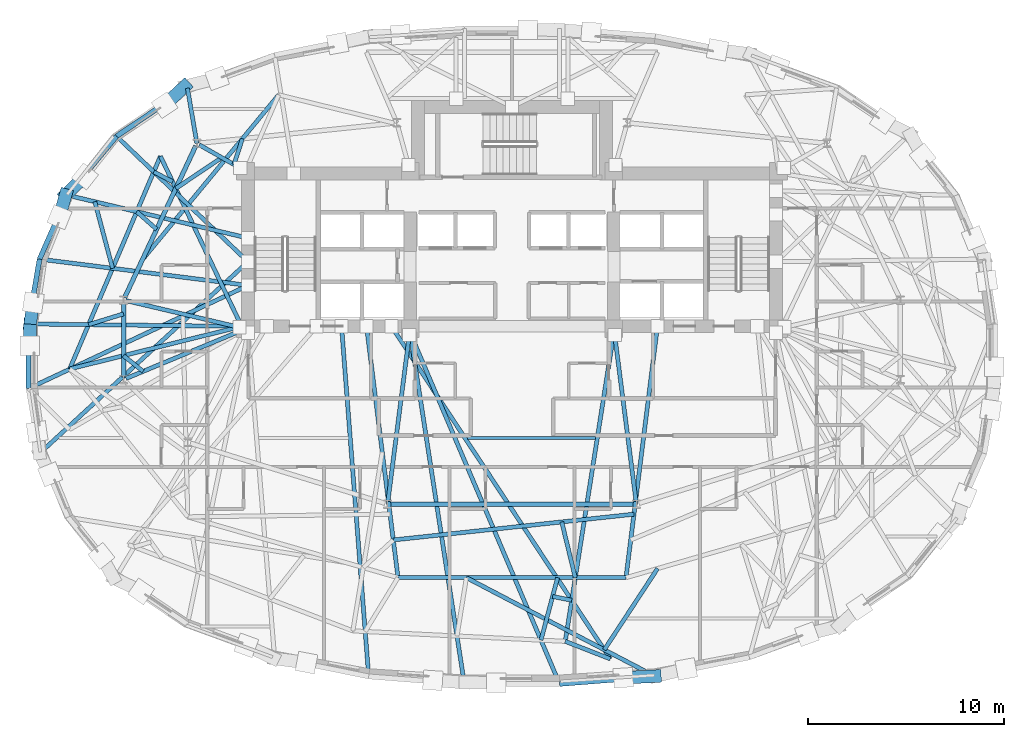
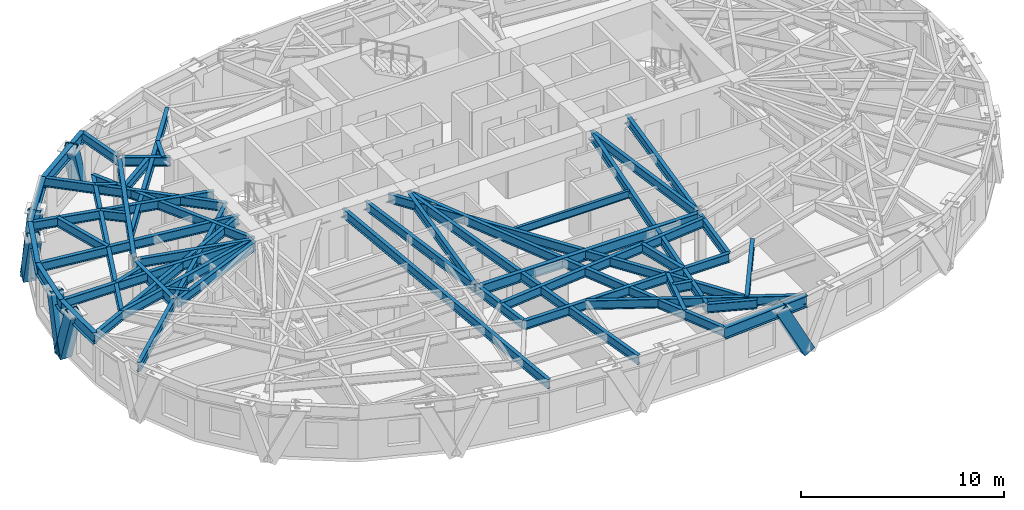
# One storey, part 2 of 15: 48 beams, 6 members.
"""IFC4 building model written with IfcOpenShell, lengths in metres."""

from ifc_helpers import new_model, si_unit, direction, frame, origin, origin_2d, place, context, subcontext, project, spatial, hollow_rectangle, i_section, extrude, material, material_profile, profile_set, type_object, element, save


model = new_model("IFC4")

# Units and contexts
model_context = context("Model", 3, precision=1e-05, world=origin(), true_north=direction((0.0, 1.0)))
body_context = subcontext(model_context, "Body", "Model", "MODEL_VIEW")
ifc_project = project(units=[si_unit("LENGTHUNIT", "METRE"), si_unit("AREAUNIT", "SQUARE_METRE"), si_unit("VOLUMEUNIT", "CUBIC_METRE"), si_unit("PLANEANGLEUNIT", "RADIAN"), si_unit("MASSUNIT", "GRAM", prefix="KILO")], contexts=[model_context])

# Site, building, storey
site_placement = place(None, origin())
site = spatial("IfcSite", under=ifc_project, at=site_placement, CompositionType="ELEMENT")
building_placement = place(site_placement, origin())
building = spatial("IfcBuilding", under=site, at=building_placement, Name="Keldmark Tower", CompositionType="ELEMENT")
storey_placement = place(building_placement, frame((0.0, 0.0, 147.0)))
storey = spatial("IfcBuildingStorey", under=building, at=storey_placement, Name="L39", CompositionType="ELEMENT", Elevation=147.0)

# Beam
ifc_material_1 = material(Name="Steel ASTM A992 Grade 50", Category="steel")
ifc_material_profile_1 = material_profile(ifc_material_1, i_section(OverallWidth=0.153076171875, OverallDepth=0.455078125, WebThickness=0.008056640625, FlangeThickness=0.01318359375, at=origin_2d()), Name="W18X40")
ifc_profile_set_1 = profile_set([ifc_material_profile_1], Name="Steel ASTM A992 Grade 50")
beam_type_1 = type_object("IfcBeamType", Name="Composite Floor Joist W18X40", PredefinedType="JOIST", material=ifc_profile_set_1)
beam_1_placement = place(storey_placement, frame((-2.28076171875, -4.179931640625, 2.79248046875), z_axis=(1.0, 0.0, 0.0), x_axis=(0.0, 1.0, 0.0)))
element("IfcBeam", 1, at=beam_1_placement, inside=storey, type_object=beam_type_1, Name="L39 Composite Floor Joist J07", PredefinedType="JOIST", context=body_context, shape_type="SweptSolid", body=[
    extrude(i_section(OverallWidth=0.153076171875, OverallDepth=0.455078125, WebThickness=0.008056640625, FlangeThickness=0.01318359375, at=origin_2d()), origin(), (0.0, 0.0, 1.0), 6.5361328125),
])

# Members
ifc_material_2 = material(Name="Steel ASTM A572 Grade 50", Category="steel")
ifc_material_profile_2 = material_profile(ifc_material_2, hollow_rectangle(XDim=0.64990234375, YDim=0.64990234375, WallThickness=0.0400390625, at=origin_2d()), Name="BOX650X650X40")
ifc_profile_set_2 = profile_set([ifc_material_profile_2], Name="Steel ASTM A572 Grade 50")
member_type = type_object("IfcMemberType", Name="Diagrid Zone 3 Brace BOX650X650X40", PredefinedType="BRACE", material=ifc_profile_set_2)
member_1_placement = place(storey_placement, frame((-16.697021484375, 13.77587890625, -0.260009765625), z_axis=(-0.299184328214, -0.277103523043, 0.913073039394), x_axis=(0.679514962845, -0.733661649039, 0.0)))
element("IfcMember", 2, at=member_1_placement, inside=storey, type_object=member_type, Name="L39 Perimeter Diagrid Brace 06B", PredefinedType="BRACE", context=body_context, shape_type="SweptSolid", body=[
    extrude(hollow_rectangle(XDim=0.64990234375, YDim=0.64990234375, WallThickness=0.0400390625, at=origin_2d()), origin(), (0.0, 0.0, 1.0), 3.460693359375),
])
member_2_placement = place(storey_placement, frame((-22.7861328125, 8.234375, -0.260009765625), z_axis=(0.287259536815, 0.274853214272, 0.91757161525), x_axis=(-0.691331951353, 0.722537288337, 0.0)))
element("IfcMember", 3, at=member_2_placement, inside=storey, type_object=member_type, Name="L39 Perimeter Diagrid Brace 07A", PredefinedType="BRACE", context=body_context, shape_type="SweptSolid", body=[
    extrude(hollow_rectangle(XDim=0.64990234375, YDim=0.64990234375, WallThickness=0.0400390625, at=origin_2d()), origin(), (0.0, 0.0, 1.0), 3.44384765625),
])
member_3_placement = place(storey_placement, frame((-22.779541015625, 8.244140625, -0.260009765625), z_axis=(-0.094890003836, -0.338696560948, 0.936098566805), x_axis=(0.962923433735, -0.269774833453, 0.0)))
element("IfcMember", 4, at=member_3_placement, inside=storey, type_object=member_type, Name="L39 Perimeter Diagrid Brace 07B", PredefinedType="BRACE", context=body_context, shape_type="SweptSolid", body=[
    extrude(hollow_rectangle(XDim=0.64990234375, YDim=0.64990234375, WallThickness=0.0400390625, at=origin_2d()), origin(), (0.0, 0.0, 1.0), 3.375732421875),
])
member_4_placement = place(storey_placement, frame((-24.596435546875, 1.62841796875, -0.260009765625), z_axis=(0.049387112798, 0.32968447275, 0.942798526471), x_axis=(-0.988965183574, 0.148148120739, 0.0)))
element("IfcMember", 5, at=member_4_placement, inside=storey, type_object=member_type, Name="L39 Perimeter Diagrid Brace 08A", PredefinedType="BRACE", context=body_context, shape_type="SweptSolid", body=[
    extrude(hollow_rectangle(XDim=0.64990234375, YDim=0.64990234375, WallThickness=0.0400390625, at=origin_2d()), origin(), (0.0, 0.0, 1.0), 3.3515625),
])
member_5_placement = place(storey_placement, frame((-24.59423828125, 1.639892578125, -0.260009765625), z_axis=(-0.00671501047, -0.327867685104, 0.944699788133), x_axis=(0.999790333251, -0.020476560699, 0.0)))
element("IfcMember", 6, at=member_5_placement, inside=storey, type_object=member_type, Name="L39 Perimeter Diagrid Brace 08B", PredefinedType="BRACE", context=body_context, shape_type="SweptSolid", body=[
    extrude(hollow_rectangle(XDim=0.64990234375, YDim=0.64990234375, WallThickness=0.0400390625, at=origin_2d()), origin(), (0.0, 0.0, 1.0), 3.344970703125),
])
member_6_placement = place(storey_placement, frame((7.32763671875, -16.327392578125, -0.260009765625), z_axis=(-0.46212081296, -0.023630010445, 0.886502101992), x_axis=(0.05106711903, -0.998695223456, 0.0)))
element("IfcMember", 7, at=member_6_placement, inside=storey, type_object=member_type, Name="L39 Perimeter Diagrid Brace 13A", PredefinedType="BRACE", context=body_context, shape_type="SweptSolid", body=[
    extrude(hollow_rectangle(XDim=0.64990234375, YDim=0.64990234375, WallThickness=0.0400390625, at=origin_2d()), origin(), (0.0, 0.0, 1.0), 3.564453125),
])

# Beams
ifc_material_3 = material(Name="Steel ASTM A992 Grade 50", Category="steel")
ifc_material_profile_3 = material_profile(ifc_material_3, i_section(OverallWidth=0.22900390625, OverallDepth=0.612060546875, WebThickness=0.011962890625, FlangeThickness=0.01953125, at=origin_2d()), Name="W24X84")
ifc_profile_set_3 = profile_set([ifc_material_profile_3], Name="Steel ASTM A992 Grade 50")
beam_type_2 = type_object("IfcBeamType", Name="Primary Floor Girder W24X84", PredefinedType="BEAM", material=ifc_profile_set_3)
beam_2_placement = place(storey_placement, frame((-16.140869140625, 10.734130859375, 2.714111328125), z_axis=(-0.424526823774, -0.905415360979, 0.0), x_axis=(0.905415360979, -0.424526823774, 0.0)))
element("IfcBeam", 8, at=beam_2_placement, inside=storey, type_object=beam_type_2, Name="L39 Floor Ring Girder FG-R05", PredefinedType="BEAM", context=body_context, shape_type="SweptSolid", body=[
    extrude(i_section(OverallWidth=0.22900390625, OverallDepth=0.612060546875, WebThickness=0.011962890625, FlangeThickness=0.01953125, at=origin_2d()), origin(), (0.0, 0.0, 1.0), 8.54638671875),
])
beam_3_placement = place(storey_placement, frame((-19.828369140625, 2.729248046875, 2.714111328125), z_axis=(0.0, -1.0, 0.0), x_axis=(1.0, 0.0, 0.0)))
element("IfcBeam", 9, at=beam_3_placement, inside=storey, type_object=beam_type_2, Name="L39 Floor Ring Girder FG-R06", PredefinedType="BEAM", context=body_context, shape_type="SweptSolid", body=[
    extrude(i_section(OverallWidth=0.22900390625, OverallDepth=0.612060546875, WebThickness=0.011962890625, FlangeThickness=0.01953125, at=origin_2d()), origin(), (0.0, 0.0, 1.0), 3.778564453125),
])
beam_4_placement = place(storey_placement, frame((-6.211181640625, -7.546142578125, 2.714111328125), z_axis=(1.0, 0.0, 0.0), x_axis=(0.0, 1.0, 0.0)))
element("IfcBeam", 10, at=beam_4_placement, inside=storey, type_object=beam_type_2, Name="L39 Floor Ring Girder FG-R09", PredefinedType="BEAM", context=body_context, shape_type="SweptSolid", body=[
    extrude(i_section(OverallWidth=0.22900390625, OverallDepth=0.612060546875, WebThickness=0.011962890625, FlangeThickness=0.01953125, at=origin_2d()), origin(), (0.0, 0.0, 1.0), 12.42236328125),
])
ifc_material_4 = material(Name="Steel ASTM A992 Grade 50", Category="steel")
ifc_material_profile_4 = material_profile(ifc_material_4, i_section(OverallWidth=0.2099609375, OverallDepth=0.537109375, WebThickness=0.010986328125, FlangeThickness=0.017333984375, at=origin_2d()), Name="W21X68")
ifc_profile_set_4 = profile_set([ifc_material_profile_4], Name="Steel ASTM A992 Grade 50")
beam_type_3 = type_object("IfcBeamType", Name="Radial Tie Girder W21X68", PredefinedType="BEAM", material=ifc_profile_set_4)
beam_5_placement = place(storey_placement, frame((-15.959716796875, 10.791748046875, 2.75146484375), z_axis=(0.86929527307, -0.494293160197, 0.0), x_axis=(0.494293160197, 0.86929527307, 0.0)))
element("IfcBeam", 11, at=beam_5_placement, inside=storey, type_object=beam_type_3, Name="L39 Floor Radial Girder FG-C05", PredefinedType="BEAM", context=body_context, shape_type="SweptSolid", body=[
    extrude(i_section(OverallWidth=0.2099609375, OverallDepth=0.537109375, WebThickness=0.010986328125, FlangeThickness=0.017333984375, at=origin_2d()), origin(), (0.0, 0.0, 1.0), 2.39453125),
])
beam_6_placement = place(storey_placement, frame((-19.692138671875, 2.837158203125, 2.75146484375), z_axis=(0.973280062348, -0.229621253887, 0.0), x_axis=(0.229621253887, 0.973280062348, 0.0)))
element("IfcBeam", 12, at=beam_6_placement, inside=storey, type_object=beam_type_3, Name="L39 Floor Radial Girder FG-C06", PredefinedType="BEAM", context=body_context, shape_type="SweptSolid", body=[
    extrude(i_section(OverallWidth=0.2099609375, OverallDepth=0.537109375, WebThickness=0.010986328125, FlangeThickness=0.017333984375, at=origin_2d()), origin(), (0.0, 0.0, 1.0), 5.939208984375),
])
beam_7_placement = place(storey_placement, frame((-19.69921875, -1.135498046875, 2.75146484375), z_axis=(0.923393794893, 0.383854008124, 0.0), x_axis=(-0.383854008124, 0.923393794893, 0.0)))
element("IfcBeam", 13, at=beam_7_placement, inside=storey, type_object=beam_type_3, Name="L39 Floor Radial Girder FG-C07", PredefinedType="BEAM", context=body_context, shape_type="SweptSolid", body=[
    extrude(i_section(OverallWidth=0.2099609375, OverallDepth=0.537109375, WebThickness=0.010986328125, FlangeThickness=0.017333984375, at=origin_2d()), origin(), (0.0, 0.0, 1.0), 6.28515625),
])
for number, where, z_axis, x_axis, name in (
    (14, (-6.333251953125, -7.4072265625, 2.75146484375), (0.127635577416, 0.991821132754, 0.0), (-0.991821132754, 0.127635577416, 0.0), "L39 Floor Radial Girder FG-C09"),
    (15, (6.333251953125, -7.4072265625, 2.75146484375), (-0.127635577416, 0.991821132754, 0.0), (-0.991821132754, -0.127635577416, 0.0), "L39 Floor Radial Girder FG-C10"),
):
    element("IfcBeam", number, at=place(storey_placement, frame(where, z_axis=z_axis, x_axis=x_axis)), inside=storey, type_object=beam_type_3, Name=name, PredefinedType="BEAM", context=body_context, shape_type="SweptSolid", body=[
        extrude(i_section(OverallWidth=0.2099609375, OverallDepth=0.537109375, WebThickness=0.010986328125, FlangeThickness=0.017333984375, at=origin_2d()), origin(), (0.0, 0.0, 1.0), 8.559814453125),
    ])
beam_8_placement = place(storey_placement, frame((-14.81494140625, 10.140869140625, 2.75146484375), z_axis=(-0.829503086518, -0.558502130217, 0.0), x_axis=(0.558502130217, -0.829503086518, 0.0)))
element("IfcBeam", 16, at=beam_8_placement, inside=storey, type_object=beam_type_3, Name="L39 Framing Pin Header PH-002", PredefinedType="BEAM", context=body_context, shape_type="SweptSolid", body=[
    extrude(i_section(OverallWidth=0.2099609375, OverallDepth=0.537109375, WebThickness=0.010986328125, FlangeThickness=0.017333984375, at=origin_2d()), origin(), (0.0, 0.0, 1.0), 2.826171875),
])
beam_9_placement = place(storey_placement, frame((-13.800048828125, 1.52490234375, 2.75146484375), z_axis=(-0.430746964627, 0.902472743336, 0.0), x_axis=(-0.902472743336, -0.430746964627, 0.0)))
element("IfcBeam", 17, at=beam_9_placement, inside=storey, type_object=beam_type_3, Name="L39 Sub-Ring Step Girder STP1-M06", PredefinedType="BEAM", context=body_context, shape_type="SweptSolid", body=[
    extrude(i_section(OverallWidth=0.2099609375, OverallDepth=0.537109375, WebThickness=0.010986328125, FlangeThickness=0.017333984375, at=origin_2d()), origin(), (0.0, 0.0, 1.0), 9.621826171875),
])
beam_10_placement = place(storey_placement, frame((-18.82861328125, -0.773681640625, 2.75146484375), z_axis=(-0.77882358978, 0.627243027862, 0.0), x_axis=(-0.627243027862, -0.77882358978, 0.0)))
element("IfcBeam", 18, at=beam_10_placement, inside=storey, type_object=beam_type_3, Name="L39 Framing Pin Header PH-003", PredefinedType="BEAM", context=body_context, shape_type="SweptSolid", body=[
    extrude(i_section(OverallWidth=0.2099609375, OverallDepth=0.537109375, WebThickness=0.010986328125, FlangeThickness=0.017333984375, at=origin_2d()), origin(), (0.0, 0.0, 1.0), 1.28369140625),
])
beam_11_placement = place(storey_placement, frame((-13.800048828125, 1.52490234375, 2.75146484375), z_axis=(-0.970654935754, -0.240476601141, 0.0), x_axis=(0.240476601141, -0.970654935754, 0.0)))
element("IfcBeam", 19, at=beam_11_placement, inside=storey, type_object=beam_type_3, Name="L39 Sub-Ring Step Girder STP1-M07", PredefinedType="BEAM", context=body_context, shape_type="SweptSolid", body=[
    extrude(i_section(OverallWidth=0.2099609375, OverallDepth=0.537109375, WebThickness=0.010986328125, FlangeThickness=0.017333984375, at=origin_2d()), origin(), (0.0, 0.0, 1.0), 9.041748046875),
])
beam_12_placement = place(storey_placement, frame((-7.425048828125, 1.52490234375, 2.75146484375), z_axis=(0.124306686218, -0.99224384491, 0.0), x_axis=(0.99224384491, 0.124306686218, 0.0)))
element("IfcBeam", 20, at=beam_12_placement, inside=storey, type_object=beam_type_3, Name="L39 Sub-Ring Step Girder STP1-M09", PredefinedType="BEAM", context=body_context, shape_type="SweptSolid", body=[
    extrude(i_section(OverallWidth=0.2099609375, OverallDepth=0.537109375, WebThickness=0.010986328125, FlangeThickness=0.017333984375, at=origin_2d()), origin(), (0.0, 0.0, 1.0), 12.92724609375),
])
beam_13_placement = place(storey_placement, frame((-6.05908203125, -9.3779296875, 2.75146484375), z_axis=(0.994310350097, 0.106521958718, 0.0), x_axis=(-0.106521958718, 0.994310350097, 0.0)))
element("IfcBeam", 21, at=beam_13_placement, inside=storey, type_object=beam_type_3, Name="L39 Framing Pin Header PH-006", PredefinedType="BEAM", context=body_context, shape_type="SweptSolid", body=[
    extrude(i_section(OverallWidth=0.2099609375, OverallDepth=0.537109375, WebThickness=0.010986328125, FlangeThickness=0.017333984375, at=origin_2d()), origin(), (0.0, 0.0, 1.0), 12.353515625),
])
beam_14_placement = place(storey_placement, frame((7.425048828125, 1.52490234375, 2.75146484375), z_axis=(-0.124306686218, -0.99224384491, 0.0), x_axis=(0.99224384491, -0.124306686218, 0.0)))
element("IfcBeam", 22, at=beam_14_placement, inside=storey, type_object=beam_type_3, Name="L39 Sub-Ring Step Girder STP1-M10", PredefinedType="BEAM", context=body_context, shape_type="SweptSolid", body=[
    extrude(i_section(OverallWidth=0.2099609375, OverallDepth=0.537109375, WebThickness=0.010986328125, FlangeThickness=0.017333984375, at=origin_2d()), origin(), (0.0, 0.0, 1.0), 12.92724609375),
])
beam_15_placement = place(storey_placement, frame((-17.944580078125, 10.208251953125, 2.75146484375), z_axis=(-0.392383627072, -0.919801657536, 0.0), x_axis=(0.919801657536, -0.392383627072, 0.0)))
element("IfcBeam", 23, at=beam_15_placement, inside=storey, type_object=beam_type_3, Name="L39 Perimeter Collector Ring Beam CRG1-M06", PredefinedType="BEAM", context=body_context, shape_type="SweptSolid", body=[
    extrude(i_section(OverallWidth=0.2099609375, OverallDepth=0.537109375, WebThickness=0.010986328125, FlangeThickness=0.017333984375, at=origin_2d()), origin(), (0.0, 0.0, 1.0), 11.804443359375),
])
beam_16_placement = place(storey_placement, frame((-5.818115234375, -11.302001953125, 2.75146484375), z_axis=(1.0, 0.0, 0.0), x_axis=(0.0, 1.0, 0.0)))
element("IfcBeam", 24, at=beam_16_placement, inside=storey, type_object=beam_type_3, Name="L39 Perimeter Collector Ring Beam CRG1-M09", PredefinedType="BEAM", context=body_context, shape_type="SweptSolid", body=[
    extrude(i_section(OverallWidth=0.2099609375, OverallDepth=0.537109375, WebThickness=0.010986328125, FlangeThickness=0.017333984375, at=origin_2d()), origin(), (0.0, 0.0, 1.0), 11.63623046875),
])
beam_17_placement = place(storey_placement, frame((2.5390625, -8.456787109375, 2.75146484375), z_axis=(0.236213282282, -0.971701232516, 0.0), x_axis=(0.971701232516, 0.236213282282, 0.0)))
element("IfcBeam", 25, at=beam_17_placement, inside=storey, type_object=beam_type_3, Name="L39 Framing Pin Header PH-012", PredefinedType="BEAM", context=body_context, shape_type="SweptSolid", body=[
    extrude(i_section(OverallWidth=0.2099609375, OverallDepth=0.537109375, WebThickness=0.010986328125, FlangeThickness=0.017333984375, at=origin_2d()), origin(), (0.0, 0.0, 1.0), 2.927978515625),
])
beam_18_placement = place(storey_placement, frame((5.199951171875, 1.199951171875, 2.75146484375), z_axis=(-0.15561348979, -0.987818020586, 0.0), x_axis=(0.987818020586, -0.15561348979, 0.0)))
element("IfcBeam", 26, at=beam_18_placement, inside=storey, type_object=beam_type_3, Name="L39 Sub-Ring Step Girder STP2-M10", PredefinedType="BEAM", context=body_context, shape_type="SweptSolid", body=[
    extrude(i_section(OverallWidth=0.2099609375, OverallDepth=0.537109375, WebThickness=0.010986328125, FlangeThickness=0.017333984375, at=origin_2d()), origin(), (0.0, 0.0, 1.0), 15.9462890625),
])
beam_19_placement = place(storey_placement, frame((-14.1904296875, 9.78564453125, 2.75146484375), z_axis=(0.309920025527, 0.950762629565, 0.0), x_axis=(-0.950762629565, 0.309920025527, 0.0)))
element("IfcBeam", 27, at=beam_19_placement, inside=storey, type_object=beam_type_3, Name="L39 Framing Pin Header PH-021", PredefinedType="BEAM", context=body_context, shape_type="SweptSolid", body=[
    extrude(i_section(OverallWidth=0.2099609375, OverallDepth=0.537109375, WebThickness=0.010986328125, FlangeThickness=0.017333984375, at=origin_2d()), origin(), (0.0, 0.0, 1.0), 1.38330078125),
])
beam_20_placement = place(storey_placement, frame((-18.862060546875, 4.9306640625, 2.75146484375), z_axis=(0.637124831869, 0.770760629908, 0.0), x_axis=(-0.770760629908, 0.637124831869, 0.0)))
element("IfcBeam", 28, at=beam_20_placement, inside=storey, type_object=beam_type_3, Name="L39 Intermediate Radial Step Girder RT-11M", PredefinedType="BEAM", context=body_context, shape_type="SweptSolid", body=[
    extrude(i_section(OverallWidth=0.2099609375, OverallDepth=0.537109375, WebThickness=0.010986328125, FlangeThickness=0.017333984375, at=origin_2d()), origin(), (0.0, 0.0, 1.0), 10.912109375),
])
beam_21_placement = place(storey_placement, frame((-16.08154296875, 10.861083984375, 2.75146484375), z_axis=(-0.168715101851, 0.985664859071, 0.0), x_axis=(-0.985664859071, -0.168715101851, 0.0)))
element("IfcBeam", 29, at=beam_21_placement, inside=storey, type_object=beam_type_3, Name="L39 Perimeter Column Bracket RT-12", PredefinedType="BEAM", context=body_context, shape_type="SweptSolid", body=[
    extrude(i_section(OverallWidth=0.2099609375, OverallDepth=0.537109375, WebThickness=0.010986328125, FlangeThickness=0.017333984375, at=origin_2d()), origin(), (0.0, 0.0, 1.0), 2.86083984375),
])
beam_22_placement = place(storey_placement, frame((-17.322998046875, 8.90576171875, 2.75146484375), z_axis=(-0.88408831004, 0.467319869094, 0.0), x_axis=(-0.467319869094, -0.88408831004, 0.0)))
element("IfcBeam", 30, at=beam_22_placement, inside=storey, type_object=beam_type_3, Name="L39 Framing Pin Header PH-022", PredefinedType="BEAM", context=body_context, shape_type="SweptSolid", body=[
    extrude(i_section(OverallWidth=0.2099609375, OverallDepth=0.537109375, WebThickness=0.010986328125, FlangeThickness=0.017333984375, at=origin_2d()), origin(), (0.0, 0.0, 1.0), 1.086669921875),
])
beam_23_placement = place(storey_placement, frame((-13.47509765625, 4.8212890625, 2.75146484375), z_axis=(-0.723185226846, 0.690654130279, 0.0), x_axis=(-0.690654130279, -0.723185226846, 0.0)))
element("IfcBeam", 31, at=beam_23_placement, inside=storey, type_object=beam_type_3, Name="L39 Perimeter Radial Tie Girder RT-13", PredefinedType="BEAM", context=body_context, shape_type="SweptSolid", body=[
    extrude(i_section(OverallWidth=0.2099609375, OverallDepth=0.537109375, WebThickness=0.010986328125, FlangeThickness=0.017333984375, at=origin_2d()), origin(), (0.0, 0.0, 1.0), 9.27587890625),
])
beam_24_placement = place(storey_placement, frame((-18.136474609375, 6.478271484375, 2.75146484375), z_axis=(-0.748549902602, 0.663078459396, 0.0), x_axis=(-0.663078459396, -0.748549902602, 0.0)))
element("IfcBeam", 32, at=beam_24_placement, inside=storey, type_object=beam_type_3, Name="L39 Framing Pin Header PH-023", PredefinedType="BEAM", context=body_context, shape_type="SweptSolid", body=[
    extrude(i_section(OverallWidth=0.2099609375, OverallDepth=0.537109375, WebThickness=0.010986328125, FlangeThickness=0.017333984375, at=origin_2d()), origin(), (0.0, 0.0, 1.0), 1.356689453125),
])
beam_25_placement = place(storey_placement, frame((-13.47509765625, 6.028564453125, 2.75146484375), z_axis=(-0.972896188152, 0.231242312477, 0.0), x_axis=(-0.231242312477, -0.972896188152, 0.0)))
element("IfcBeam", 33, at=beam_25_placement, inside=storey, type_object=beam_type_3, Name="L39 Perimeter Radial Tie Girder RT-14", PredefinedType="BEAM", context=body_context, shape_type="SweptSolid", body=[
    extrude(i_section(OverallWidth=0.2099609375, OverallDepth=0.537109375, WebThickness=0.010986328125, FlangeThickness=0.017333984375, at=origin_2d()), origin(), (0.0, 0.0, 1.0), 9.45458984375),
])
beam_26_placement = place(storey_placement, frame((-21.293701171875, 7.886962890625, 2.75146484375), z_axis=(0.258223962264, -0.966085081819, 0.0), x_axis=(0.966085081819, 0.258223962264, 0.0)))
element("IfcBeam", 34, at=beam_26_placement, inside=storey, type_object=beam_type_3, Name="L39 Framing Pin Header PH-024", PredefinedType="BEAM", context=body_context, shape_type="SweptSolid", body=[
    extrude(i_section(OverallWidth=0.2099609375, OverallDepth=0.537109375, WebThickness=0.010986328125, FlangeThickness=0.017333984375, at=origin_2d()), origin(), (0.0, 0.0, 1.0), 3.51904296875),
])
beam_27_placement = place(storey_placement, frame((-13.47509765625, 3.6142578125, 2.75146484375), z_axis=(-0.992114470146, 0.125335063434, 0.0), x_axis=(-0.125335063434, -0.992114470146, 0.0)))
element("IfcBeam", 35, at=beam_27_placement, inside=storey, type_object=beam_type_3, Name="L39 Perimeter Radial Tie Girder RT-15", PredefinedType="BEAM", context=body_context, shape_type="SweptSolid", body=[
    extrude(i_section(OverallWidth=0.2099609375, OverallDepth=0.537109375, WebThickness=0.010986328125, FlangeThickness=0.017333984375, at=origin_2d()), origin(), (0.0, 0.0, 1.0), 10.72119140625),
])
beam_28_placement = place(storey_placement, frame((-19.828369140625, 2.162353515625, 2.75146484375), z_axis=(-0.955634599432, -0.294554769728, 0.0), x_axis=(0.294554769728, -0.955634599432, 0.0)))
element("IfcBeam", 36, at=beam_28_placement, inside=storey, type_object=beam_type_3, Name="L39 Framing Pin Header PH-025", PredefinedType="BEAM", context=body_context, shape_type="SweptSolid", body=[
    extrude(i_section(OverallWidth=0.2099609375, OverallDepth=0.537109375, WebThickness=0.010986328125, FlangeThickness=0.017333984375, at=origin_2d()), origin(), (0.0, 0.0, 1.0), 1.86572265625),
])
beam_29_placement = place(storey_placement, frame((-13.800048828125, 1.52490234375, 2.75146484375), z_axis=(-0.999936516602, 0.011267775513, 0.0), x_axis=(-0.011267775513, -0.999936516602, 0.0)))
element("IfcBeam", 37, at=beam_29_placement, inside=storey, type_object=beam_type_3, Name="L39 Perimeter Radial Tie Girder RT-16", PredefinedType="BEAM", context=body_context, shape_type="SweptSolid", body=[
    extrude(i_section(OverallWidth=0.2099609375, OverallDepth=0.537109375, WebThickness=0.010986328125, FlangeThickness=0.017333984375, at=origin_2d()), origin(), (0.0, 0.0, 1.0), 10.876953125),
])
beam_30_placement = place(storey_placement, frame((-13.47509765625, 3.6142578125, 2.75146484375), z_axis=(-0.905111778009, -0.425173693105, 0.0), x_axis=(0.425173693105, -0.905111778009, 0.0)))
element("IfcBeam", 38, at=beam_30_placement, inside=storey, type_object=beam_type_3, Name="L39 Perimeter Radial Tie Girder RT-17", PredefinedType="BEAM", context=body_context, shape_type="SweptSolid", body=[
    extrude(i_section(OverallWidth=0.2099609375, OverallDepth=0.537109375, WebThickness=0.010986328125, FlangeThickness=0.017333984375, at=origin_2d()), origin(), (0.0, 0.0, 1.0), 12.37548828125),
])
beam_31_placement = place(storey_placement, frame((-13.47509765625, 4.8212890625, 2.75146484375), z_axis=(-0.73615458177, -0.67681343939, 0.0), x_axis=(0.67681343939, -0.73615458177, 0.0)))
element("IfcBeam", 39, at=beam_31_placement, inside=storey, type_object=beam_type_3, Name="L39 Perimeter Radial Tie Girder RT-18", PredefinedType="BEAM", context=body_context, shape_type="SweptSolid", body=[
    extrude(i_section(OverallWidth=0.2099609375, OverallDepth=0.537109375, WebThickness=0.010986328125, FlangeThickness=0.017333984375, at=origin_2d()), origin(), (0.0, 0.0, 1.0), 14.448974609375),
])
beam_32_placement = place(storey_placement, frame((-8.699951171875, 1.52490234375, 2.75146484375), z_axis=(0.07731836749, -0.997006454367, 0.0), x_axis=(0.997006454367, 0.07731836749, 0.0)))
element("IfcBeam", 40, at=beam_32_placement, inside=storey, type_object=beam_type_3, Name="L39 Perimeter Radial Tie Girder RT-23", PredefinedType="BEAM", context=body_context, shape_type="SweptSolid", body=[
    extrude(i_section(OverallWidth=0.2099609375, OverallDepth=0.537109375, WebThickness=0.010986328125, FlangeThickness=0.017333984375, at=origin_2d()), origin(), (0.0, 0.0, 1.0), 17.922607421875),
])
beam_33_placement = place(storey_placement, frame((-5.199951171875, 1.199951171875, 2.75146484375), z_axis=(0.152682193974, -0.988275339996, 0.0), x_axis=(0.988275339996, 0.152682193974, 0.0)))
element("IfcBeam", 41, at=beam_33_placement, inside=storey, type_object=beam_type_3, Name="L39 Perimeter Radial Tie Girder RT-24", PredefinedType="BEAM", context=body_context, shape_type="SweptSolid", body=[
    extrude(i_section(OverallWidth=0.2099609375, OverallDepth=0.537109375, WebThickness=0.010986328125, FlangeThickness=0.017333984375, at=origin_2d()), origin(), (0.0, 0.0, 1.0), 18.13916015625),
])
beam_34_placement = place(storey_placement, frame((2.327392578125, -11.302001953125, 2.75146484375), z_axis=(-0.257077829778, -0.966390702271, 0.0), x_axis=(0.966390702271, -0.257077829778, 0.0)))
element("IfcBeam", 42, at=beam_34_placement, inside=storey, type_object=beam_type_3, Name="L39 Framing Pin Header PH-033", PredefinedType="BEAM", context=body_context, shape_type="SweptSolid", body=[
    extrude(i_section(OverallWidth=0.2099609375, OverallDepth=0.537109375, WebThickness=0.010986328125, FlangeThickness=0.017333984375, at=origin_2d()), origin(), (0.0, 0.0, 1.0), 3.300048828125),
])
beam_35_placement = place(storey_placement, frame((-5.199951171875, 1.199951171875, 2.75146484375), z_axis=(0.391645007215, -0.920116399334, 0.0), x_axis=(0.920116399334, 0.391645007215, 0.0)))
element("IfcBeam", 43, at=beam_35_placement, inside=storey, type_object=beam_type_3, Name="L39 Perimeter Radial Tie Girder RT-25", PredefinedType="BEAM", context=body_context, shape_type="SweptSolid", body=[
    extrude(i_section(OverallWidth=0.2099609375, OverallDepth=0.537109375, WebThickness=0.010986328125, FlangeThickness=0.017333984375, at=origin_2d()), origin(), (0.0, 0.0, 1.0), 19.48291015625),
])
beam_36_placement = place(storey_placement, frame((2.07275390625, -12.2587890625, 2.75146484375), z_axis=(0.979982087983, -0.199085678119, 0.0), x_axis=(0.199085678119, 0.979982087983, 0.0)))
element("IfcBeam", 44, at=beam_36_placement, inside=storey, type_object=beam_type_3, Name="L39 Framing Pin Header PH-034", PredefinedType="BEAM", context=body_context, shape_type="SweptSolid", body=[
    extrude(i_section(OverallWidth=0.2099609375, OverallDepth=0.537109375, WebThickness=0.010986328125, FlangeThickness=0.017333984375, at=origin_2d()), origin(), (0.0, 0.0, 1.0), 0.995849609375),
])
beam_37_placement = place(storey_placement, frame((-6.14990234375, 1.52490234375, 2.75146484375), z_axis=(0.549612308077, -0.835419841044, 0.0), x_axis=(0.835419841044, 0.549612308077, 0.0)))
element("IfcBeam", 45, at=beam_37_placement, inside=storey, type_object=beam_type_3, Name="L39 Intermediate Radial Step Girder RT-26M", PredefinedType="BEAM", context=body_context, shape_type="SweptSolid", body=[
    extrude(i_section(OverallWidth=0.2099609375, OverallDepth=0.537109375, WebThickness=0.010986328125, FlangeThickness=0.017333984375, at=origin_2d()), origin(), (0.0, 0.0, 1.0), 20.316650390625),
])
beam_38_placement = place(storey_placement, frame((2.718505859375, -14.552001953125, 2.75146484375), z_axis=(0.931677339215, -0.363286850289, 0.0), x_axis=(0.363286850289, 0.931677339215, 0.0)))
element("IfcBeam", 46, at=beam_38_placement, inside=storey, type_object=beam_type_3, Name="L39 Local Collector Chord RT-26C", PredefinedType="BEAM", context=body_context, shape_type="SweptSolid", body=[
    extrude(i_section(OverallWidth=0.2099609375, OverallDepth=0.537109375, WebThickness=0.010986328125, FlangeThickness=0.017333984375, at=origin_2d()), origin(), (0.0, 0.0, 1.0), 2.46630859375),
])
beam_39_placement = place(storey_placement, frame((7.427978515625, -10.836669921875, 2.75146484375), z_axis=(-0.548364866853, -0.836239183967, 0.0), x_axis=(0.836239183967, -0.548364866853, 0.0)))
element("IfcBeam", 47, at=beam_39_placement, inside=storey, type_object=beam_type_3, Name="L39 Framing Pin Header PH-035", PredefinedType="BEAM", context=body_context, shape_type="SweptSolid", body=[
    extrude(i_section(OverallWidth=0.2099609375, OverallDepth=0.537109375, WebThickness=0.010986328125, FlangeThickness=0.017333984375, at=origin_2d()), origin(), (0.0, 0.0, 1.0), 4.95703125),
])
beam_40_placement = place(storey_placement, frame((-2.327392578125, -11.302001953125, 2.75146484375), z_axis=(0.886147546986, -0.463403199138, 0.0), x_axis=(0.463403199138, 0.886147546986, 0.0)))
element("IfcBeam", 48, at=beam_40_placement, inside=storey, type_object=beam_type_3, Name="L39 Perimeter Radial Tie Girder RT-26", PredefinedType="BEAM", context=body_context, shape_type="SweptSolid", body=[
    extrude(i_section(OverallWidth=0.2099609375, OverallDepth=0.537109375, WebThickness=0.010986328125, FlangeThickness=0.017333984375, at=origin_2d()), origin(), (0.0, 0.0, 1.0), 10.88037109375),
])
ifc_material_5 = material(Name="Steel ASTM A992 Grade 50", Category="steel")
ifc_material_profile_5 = material_profile(ifc_material_5, i_section(OverallWidth=0.256103515625, OverallDepth=0.693115234375, WebThickness=0.014404296875, FlangeThickness=0.023681640625, at=origin_2d()), Name="W27X114")
ifc_profile_set_5 = profile_set([ifc_material_profile_5], Name="Steel ASTM A992 Grade 50")
beam_type_4 = type_object("IfcBeamType", Name="Spandrel Ring Beam W27X114", PredefinedType="SPANDREL", material=ifc_profile_set_5)
beam_41_placement = place(storey_placement, frame((-16.564208984375, 13.680908203125, 2.673583984375), z_axis=(-0.827764762149, -0.561075305591, 0.0), x_axis=(0.561075305591, -0.827764762149, 0.0)))
element("IfcBeam", 49, at=beam_41_placement, inside=storey, type_object=beam_type_4, Name="L39 Perimeter Spandrel Ring Beam SRB-12", PredefinedType="SPANDREL", context=body_context, shape_type="SweptSolid", body=[
    extrude(i_section(OverallWidth=0.256103515625, OverallDepth=0.693115234375, WebThickness=0.014404296875, FlangeThickness=0.023681640625, at=origin_2d()), origin(), (0.0, 0.0, 1.0), 4.3720703125),
])
beam_42_placement = place(storey_placement, frame((-20.183349609375, 11.227783203125, 2.673583984375), z_axis=(-0.637039621307, -0.770831058589, 0.0), x_axis=(0.770831058589, -0.637039621307, 0.0)))
element("IfcBeam", 50, at=beam_42_placement, inside=storey, type_object=beam_type_4, Name="L39 Perimeter Spandrel Ring Beam SRB-13", PredefinedType="SPANDREL", context=body_context, shape_type="SweptSolid", body=[
    extrude(i_section(OverallWidth=0.256103515625, OverallDepth=0.693115234375, WebThickness=0.014404296875, FlangeThickness=0.023681640625, at=origin_2d()), origin(), (0.0, 0.0, 1.0), 3.90869140625),
])
beam_43_placement = place(storey_placement, frame((-22.67333984375, 8.21484375, 2.673583984375), z_axis=(-0.404025086602, -0.914747904833, 0.0), x_axis=(0.914747904833, -0.404025086602, 0.0)))
element("IfcBeam", 51, at=beam_43_placement, inside=storey, type_object=beam_type_4, Name="L39 Perimeter Spandrel Ring Beam SRB-14", PredefinedType="SPANDREL", context=body_context, shape_type="SweptSolid", body=[
    extrude(i_section(OverallWidth=0.256103515625, OverallDepth=0.693115234375, WebThickness=0.014404296875, FlangeThickness=0.023681640625, at=origin_2d()), origin(), (0.0, 0.0, 1.0), 3.560302734375),
])
beam_44_placement = place(storey_placement, frame((-24.11181640625, 4.9580078125, 2.673583984375), z_axis=(-0.168075929829, -0.985774052109, 0.0), x_axis=(0.985774052109, -0.168075929829, 0.0)))
element("IfcBeam", 52, at=beam_44_placement, inside=storey, type_object=beam_type_4, Name="L39 Perimeter Spandrel Ring Beam SRB-15", PredefinedType="SPANDREL", context=body_context, shape_type="SweptSolid", body=[
    extrude(i_section(OverallWidth=0.256103515625, OverallDepth=0.693115234375, WebThickness=0.014404296875, FlangeThickness=0.023681640625, at=origin_2d()), origin(), (0.0, 0.0, 1.0), 3.3583984375),
])
beam_45_placement = place(storey_placement, frame((-24.67626953125, 1.6474609375, 2.673583984375), z_axis=(0.0, -1.0, 0.0), x_axis=(1.0, 0.0, 0.0)))
element("IfcBeam", 53, at=beam_45_placement, inside=storey, type_object=beam_type_4, Name="L39 Perimeter Spandrel Ring Beam SRB-16", PredefinedType="SPANDREL", context=body_context, shape_type="SweptSolid", body=[
    extrude(i_section(OverallWidth=0.256103515625, OverallDepth=0.693115234375, WebThickness=0.014404296875, FlangeThickness=0.023681640625, at=origin_2d()), origin(), (0.0, 0.0, 1.0), 3.294921875),
])
beam_46_placement = place(storey_placement, frame((2.430419921875, -16.7265625, 2.673583984375), z_axis=(0.996945914476, 0.07809509338, 0.0), x_axis=(-0.07809509338, 0.996945914476, 0.0)))
element("IfcBeam", 54, at=beam_46_placement, inside=storey, type_object=beam_type_4, Name="L39 Perimeter Spandrel Ring Beam SRB-25", PredefinedType="SPANDREL", context=body_context, shape_type="SweptSolid", body=[
    extrude(i_section(OverallWidth=0.256103515625, OverallDepth=0.693115234375, WebThickness=0.014404296875, FlangeThickness=0.023681640625, at=origin_2d()), origin(), (0.0, 0.0, 1.0), 4.898681640625),
])

save(model, "model.ifc")
